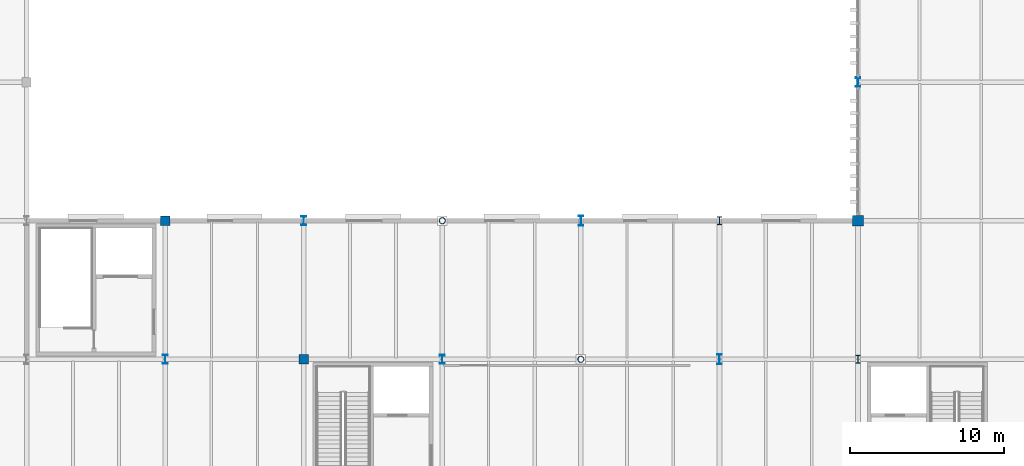
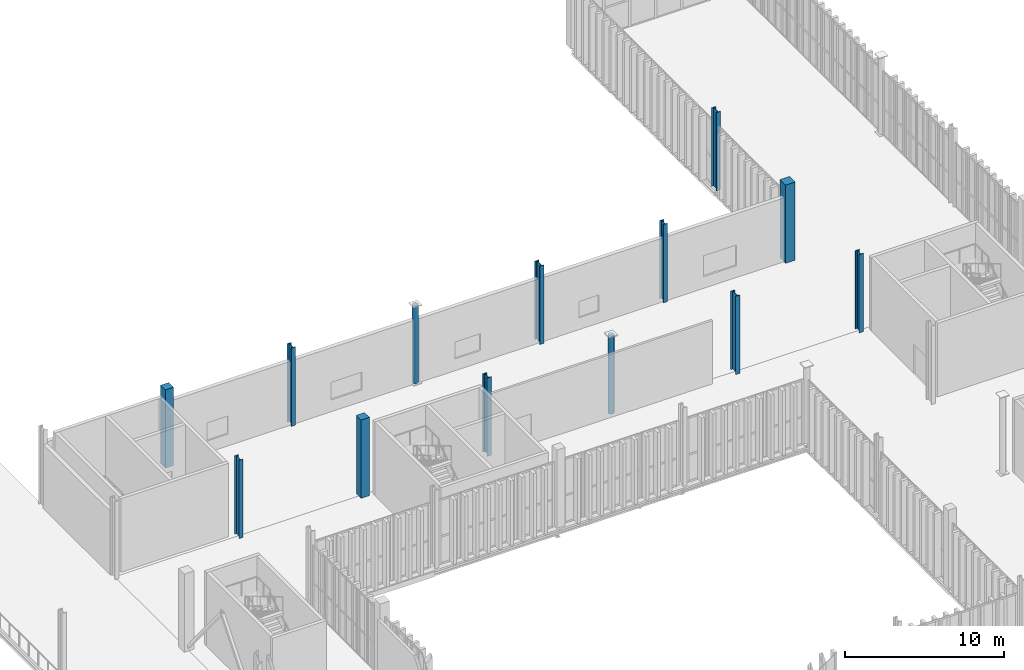
# One storey, part 20 of 211: 13 columns.
"""IFC4 building model written with IfcOpenShell, lengths in metres."""

from ifc_helpers import new_model, si_unit, direction, frame, origin, origin_2d, place, context, subcontext, project, spatial, rectangle, hollow_circle, i_section, extrude, material, material_profile, profile_set, type_object, element, save


model = new_model("IFC4")

# Units and contexts
model_context = context("Model", 3, precision=1e-05, world=origin(), true_north=direction((0.0, 1.0)))
body_context = subcontext(model_context, "Body", "Model", "MODEL_VIEW")
ifc_project = project(units=[si_unit("LENGTHUNIT", "METRE"), si_unit("AREAUNIT", "SQUARE_METRE"), si_unit("VOLUMEUNIT", "CUBIC_METRE"), si_unit("PLANEANGLEUNIT", "RADIAN"), si_unit("MASSUNIT", "GRAM", prefix="KILO")], contexts=[model_context])

# Site, building, storey
site_placement = place(None, origin())
site = spatial("IfcSite", under=ifc_project, at=site_placement, CompositionType="ELEMENT")
building_placement = place(site_placement, origin())
building = spatial("IfcBuilding", under=site, at=building_placement, Name="Barlavento Convention Centre", CompositionType="ELEMENT")
storey_placement = place(building_placement, frame((0.0, 0.0, 6.0)))
storey = spatial("IfcBuildingStorey", under=building, at=storey_placement, Name="L01", CompositionType="ELEMENT", Elevation=6.0)

# Columns
ifc_material_1 = material(Name="Steel S355", Category="steel")
ifc_material_profile_1 = material_profile(ifc_material_1, hollow_circle(Radius=0.203125, WallThickness=0.01611328125, at=origin_2d()), Name="CHS 406.4x16.0")
ifc_profile_set_1 = profile_set([ifc_material_profile_1], Name="Steel S355")
column_type_1 = type_object("IfcColumnType", Name="STR-COL-CHS406", PredefinedType="COLUMN", material=ifc_profile_set_1)
for number, where, z_axis, x_axis, name in (
    (1, (153.0, 108.0, 0.0), (0.0, 0.0, 1.0), (1.0, 0.0, 0.0), "L01 column SC14"),
    (2, (162.0, 99.0, 0.0), (0.0, 0.0, 1.0), (1.0, 0.0, 0.0), "L01 column SC14"),
):
    element("IfcColumn", number, at=place(storey_placement, frame(where, z_axis=z_axis, x_axis=x_axis)), inside=storey, type_object=column_type_1, Name=name, PredefinedType="COLUMN", context=body_context, shape_type="SweptSolid", body=[
        extrude(hollow_circle(Radius=0.203125, WallThickness=0.01611328125, at=origin_2d()), origin(), (0.0, 0.0, 1.0), 6.0),
    ])
ifc_material_profile_2 = material_profile(ifc_material_1, i_section(OverallWidth=0.300048828125, OverallDepth=0.60009765625, WebThickness=0.015380859375, FlangeThickness=0.030029296875, FilletRadius=0.027099609375, at=origin_2d()), Name="HEB 600")
ifc_profile_set_2 = profile_set([ifc_material_profile_2], Name="Steel S355")
column_type_2 = type_object("IfcColumnType", Name="STR-COL-HEB600", PredefinedType="COLUMN", material=ifc_profile_set_2)
column_1_placement = place(storey_placement, frame((135.0, 99.0, 0.0), z_axis=(0.0, 0.0, 1.0), x_axis=(1.0, 0.0, 0.0)))
element("IfcColumn", 3, at=column_1_placement, inside=storey, type_object=column_type_2, Name="L01 column SC08", PredefinedType="COLUMN", context=body_context, shape_type="SweptSolid", body=[
    extrude(i_section(OverallWidth=0.300048828125, OverallDepth=0.60009765625, WebThickness=0.015380859375, FlangeThickness=0.030029296875, FilletRadius=0.027099609375, at=origin_2d()), origin(), (0.0, 0.0, 1.0), 6.0),
])
ifc_material_profile_3 = material_profile(ifc_material_1, i_section(OverallWidth=0.305908203125, OverallDepth=0.52392578125, WebThickness=0.02099609375, FlangeThickness=0.0400390625, FilletRadius=0.027099609375, at=origin_2d()), Name="HEM 500")
ifc_profile_set_3 = profile_set([ifc_material_profile_3], Name="Steel S355")
column_type_3 = type_object("IfcColumnType", Name="STR-COL-HEM500", PredefinedType="COLUMN", material=ifc_profile_set_3)
for number, where, z_axis, x_axis, name in (
    (4, (171.0, 108.0, 0.0), (0.0, 0.0, 1.0), (1.0, 0.0, 0.0), "L01 column SC07"),
    (5, (180.0, 99.0, 0.0), (0.0, 0.0, 1.0), (1.0, 0.0, 0.0), "L01 column SC07"),
):
    element("IfcColumn", number, at=place(storey_placement, frame(where, z_axis=z_axis, x_axis=x_axis)), inside=storey, type_object=column_type_3, Name=name, PredefinedType="COLUMN", context=body_context, shape_type="SweptSolid", body=[
        extrude(i_section(OverallWidth=0.305908203125, OverallDepth=0.52392578125, WebThickness=0.02099609375, FlangeThickness=0.0400390625, FilletRadius=0.027099609375, at=origin_2d()), origin(), (0.0, 0.0, 1.0), 6.0),
    ])
ifc_material_profile_4 = material_profile(ifc_material_1, i_section(OverallWidth=0.305908203125, OverallDepth=0.572021484375, WebThickness=0.02099609375, FlangeThickness=0.0400390625, FilletRadius=0.027099609375, at=origin_2d()), Name="HEM 550")
ifc_profile_set_4 = profile_set([ifc_material_profile_4], Name="Steel S355")
column_type_4 = type_object("IfcColumnType", Name="STR-COL-HEM550", PredefinedType="COLUMN", material=ifc_profile_set_4)
for number, where, z_axis, x_axis, name in (
    (6, (144.0, 108.0, 0.0), (0.0, 0.0, 1.0), (1.0, 0.0, 0.0), "L01 column SC06"),
    (7, (153.0, 99.0, 0.0), (0.0, 0.0, 1.0), (1.0, 0.0, 0.0), "L01 column SC06"),
):
    element("IfcColumn", number, at=place(storey_placement, frame(where, z_axis=z_axis, x_axis=x_axis)), inside=storey, type_object=column_type_4, Name=name, PredefinedType="COLUMN", context=body_context, shape_type="SweptSolid", body=[
        extrude(i_section(OverallWidth=0.305908203125, OverallDepth=0.572021484375, WebThickness=0.02099609375, FlangeThickness=0.0400390625, FilletRadius=0.027099609375, at=origin_2d()), origin(), (0.0, 0.0, 1.0), 6.0),
    ])
ifc_material_profile_5 = material_profile(ifc_material_1, i_section(OverallWidth=0.304931640625, OverallDepth=0.6201171875, WebThickness=0.02099609375, FlangeThickness=0.0400390625, FilletRadius=0.027099609375, at=origin_2d()), Name="HEM 600")
ifc_profile_set_5 = profile_set([ifc_material_profile_5], Name="Steel S355")
column_type_5 = type_object("IfcColumnType", Name="STR-COL-HEM600", PredefinedType="COLUMN", material=ifc_profile_set_5)
column_2_placement = place(storey_placement, frame((180.0, 117.0, 0.0), z_axis=(0.0, 0.0, 1.0), x_axis=(1.0, 0.0, 0.0)))
element("IfcColumn", 8, at=column_2_placement, inside=storey, type_object=column_type_5, Name="L01 column SC05", PredefinedType="COLUMN", context=body_context, shape_type="SweptSolid", body=[
    extrude(i_section(OverallWidth=0.304931640625, OverallDepth=0.6201171875, WebThickness=0.02099609375, FlangeThickness=0.0400390625, FilletRadius=0.027099609375, at=origin_2d()), origin(), (0.0, 0.0, 1.0), 6.0),
])
ifc_material_2 = material(Name="Steel S460", Category="steel")
ifc_material_profile_6 = material_profile(ifc_material_2, i_section(OverallWidth=0.304931640625, OverallDepth=0.66796875, WebThickness=0.02099609375, FlangeThickness=0.0400390625, FilletRadius=0.027099609375, at=origin_2d()), Name="HEM 650")
ifc_profile_set_6 = profile_set([ifc_material_profile_6], Name="Steel S460")
column_type_6 = type_object("IfcColumnType", Name="STR-COL-HEM650", PredefinedType="COLUMN", material=ifc_profile_set_6)
for number, where, z_axis, x_axis, name in (
    (9, (162.0, 108.0, 0.0), (0.0, 0.0, 1.0), (1.0, 0.0, 0.0), "L01 column SC04"),
    (10, (171.0, 99.0, 0.0), (0.0, 0.0, 1.0), (1.0, 0.0, 0.0), "L01 column SC04"),
):
    element("IfcColumn", number, at=place(storey_placement, frame(where, z_axis=z_axis, x_axis=x_axis)), inside=storey, type_object=column_type_6, Name=name, PredefinedType="COLUMN", context=body_context, shape_type="SweptSolid", body=[
        extrude(i_section(OverallWidth=0.304931640625, OverallDepth=0.66796875, WebThickness=0.02099609375, FlangeThickness=0.0400390625, FilletRadius=0.027099609375, at=origin_2d()), origin(), (0.0, 0.0, 1.0), 6.0),
    ])
ifc_material_3 = material(Name="Concrete C40/50", Category="concrete")
ifc_material_profile_7 = material_profile(ifc_material_3, rectangle(XDim=0.60009765625, YDim=0.60009765625, at=origin_2d()), Name="RC 600x600")
ifc_profile_set_7 = profile_set([ifc_material_profile_7], Name="Concrete C40/50")
column_type_7 = type_object("IfcColumnType", Name="STR-COL-RC600", PredefinedType="COLUMN", material=ifc_profile_set_7)
for number, where, z_axis, x_axis, name in (
    (11, (135.0, 108.0, 0.0), (0.0, 0.0, 1.0), (1.0, 0.0, 0.0), "L01 column CC07"),
    (12, (144.0, 99.0, 0.0), (0.0, 0.0, 1.0), (1.0, 0.0, 0.0), "L01 column CC07"),
):
    element("IfcColumn", number, at=place(storey_placement, frame(where, z_axis=z_axis, x_axis=x_axis)), inside=storey, type_object=column_type_7, Name=name, PredefinedType="COLUMN", context=body_context, shape_type="SweptSolid", body=[
        extrude(rectangle(XDim=0.60009765625, YDim=0.60009765625, at=origin_2d()), origin(), (0.0, 0.0, 1.0), 6.0),
    ])
ifc_material_profile_8 = material_profile(ifc_material_3, rectangle(XDim=0.699951171875, YDim=0.699951171875, at=origin_2d()), Name="RC 700x700")
ifc_profile_set_8 = profile_set([ifc_material_profile_8], Name="Concrete C40/50")
column_type_8 = type_object("IfcColumnType", Name="STR-COL-RC700", PredefinedType="COLUMN", material=ifc_profile_set_8)
column_3_placement = place(storey_placement, frame((180.0, 108.0, 0.0), z_axis=(0.0, 0.0, 1.0), x_axis=(1.0, 0.0, 0.0)))
element("IfcColumn", 13, at=column_3_placement, inside=storey, type_object=column_type_8, Name="L01 column CC06", PredefinedType="COLUMN", context=body_context, shape_type="SweptSolid", body=[
    extrude(rectangle(XDim=0.699951171875, YDim=0.699951171875, at=origin_2d()), origin(), (0.0, 0.0, 1.0), 6.0),
])

save(model, "model.ifc")
